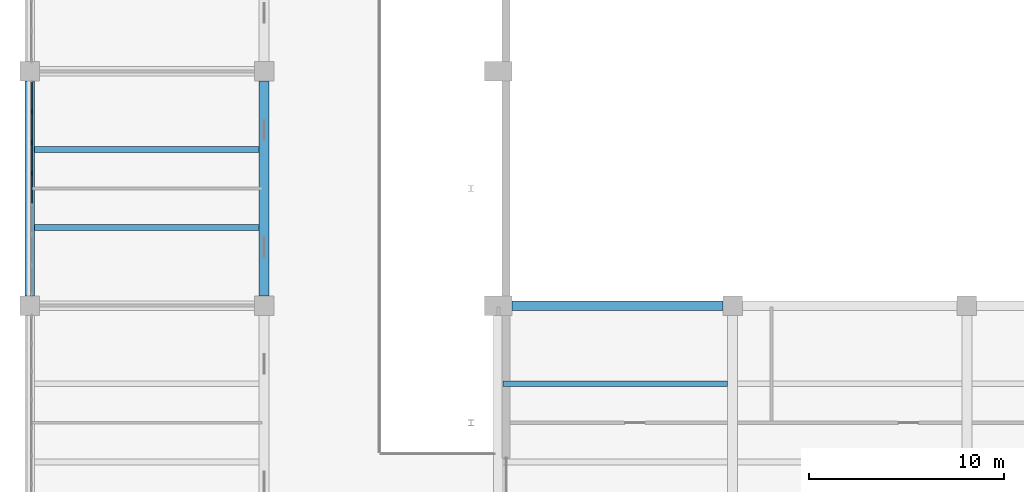
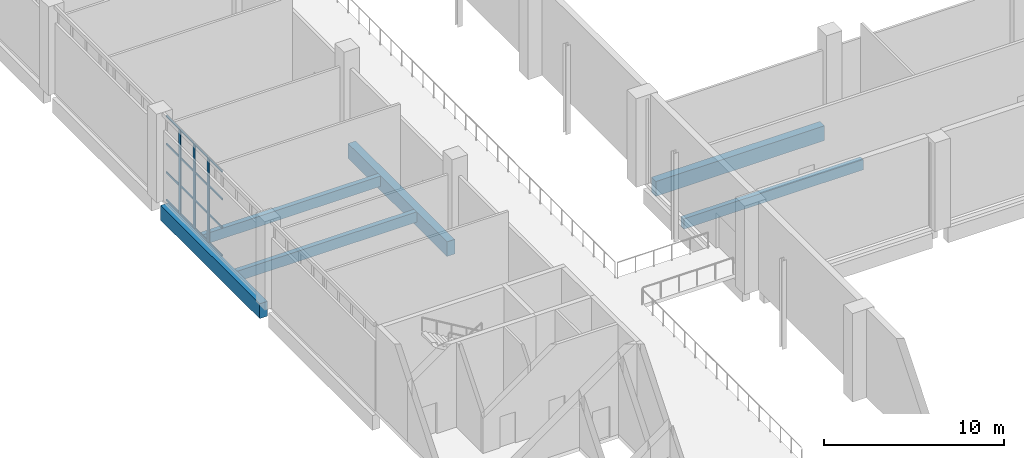
# One storey, part 17 of 72: 19 members, 6 beams, 1 element without a shape of its own.
"""IFC4 building model written with IfcOpenShell, lengths in metres."""

from ifc_helpers import new_model, si_unit, direction, frame, origin, origin_2d, place, context, subcontext, project, spatial, rectangle, extrude, material, layer, layer_set, material_profile, profile_set, type_object, element, aggregate, save


model = new_model("IFC4")

# Units and contexts
model_context = context("Model", 3, precision=1e-05, world=origin(), true_north=direction((0.0, 1.0)))
body_context = subcontext(model_context, "Body", "Model", "MODEL_VIEW")
ifc_project = project(units=[si_unit("LENGTHUNIT", "METRE"), si_unit("AREAUNIT", "SQUARE_METRE"), si_unit("VOLUMEUNIT", "CUBIC_METRE"), si_unit("PLANEANGLEUNIT", "RADIAN"), si_unit("MASSUNIT", "GRAM", prefix="KILO")], contexts=[model_context])

# Site, building, storey
site_placement = place(None, origin())
site = spatial("IfcSite", under=ifc_project, at=site_placement, CompositionType="ELEMENT")
building_placement = place(site_placement, origin())
building = spatial("IfcBuilding", under=site, at=building_placement, Name="Lilac Gate Convention Centre", CompositionType="ELEMENT")
storey_placement = place(building_placement, frame((0.0, 0.0, 6.0)))
storey = spatial("IfcBuildingStorey", under=building, at=storey_placement, Name="L01", CompositionType="ELEMENT", Elevation=6.0)

# Curtain wall, members
ifc_material_1 = material(Name="Aluminium framed double glazing", Category="aluminium")
ifc_layer = layer(ifc_material_1, 0.199951171875)
ifc_layer_set = layer_set([ifc_layer], Name="Aluminium framed double glazing")
curtain_wall_type = type_object("IfcCurtainWallType", Name="Unitised curtain wall 1500", PredefinedType="NOTDEFINED", material=ifc_layer_set)
curtain_wall_placement = place(storey_placement, origin())
curtain_wall = element("IfcCurtainWall", 1, at=curtain_wall_placement, inside=storey, type_object=curtain_wall_type, Name="Curtain wall PW L01 7", PredefinedType="NOTDEFINED")
ifc_material_2 = material(Name="Aluminium alloy 6063", Category="aluminium")
ifc_material_profile_1 = material_profile(ifc_material_2, rectangle(XDim=0.06005859375, YDim=0.219970703125, at=origin_2d()), Name="Curtain wall mullion 60 x 220")
ifc_profile_set_1 = profile_set([ifc_material_profile_1], Name="Aluminium alloy 6063")
member_type_1 = type_object("IfcMemberType", Name="Curtain wall mullion 60 x 220", PredefinedType="MULLION", material=ifc_profile_set_1)
member_1_placement = place(storey_placement, frame((6.10009765625, 123.928466796875, 0.0), z_axis=(0.0, 0.0, 1.0), x_axis=(1.0, 0.0, 0.0)))
member_1 = element("IfcMember", 2, at=member_1_placement, type_object=member_type_1, Name="CW mullion 2", PredefinedType="MULLION", context=body_context, shape_type="SweptSolid", body=[
    extrude(rectangle(XDim=0.06005859375, YDim=0.219970703125, at=origin_2d()), origin(), (0.0, 0.0, 1.0), 5.75),
])
member_2_placement = place(storey_placement, frame((6.10009765625, 122.357177734375, 0.0), z_axis=(0.0, 0.0, 1.0), x_axis=(1.0, 0.0, 0.0)))
member_2 = element("IfcMember", 3, at=member_2_placement, type_object=member_type_1, Name="CW mullion 3", PredefinedType="MULLION", context=body_context, shape_type="SweptSolid", body=[
    extrude(rectangle(XDim=0.06005859375, YDim=0.219970703125, at=origin_2d()), origin(), (0.0, 0.0, 1.0), 5.75),
])
member_3_placement = place(storey_placement, frame((6.10009765625, 120.78564453125, 0.0), z_axis=(0.0, 0.0, 1.0), x_axis=(1.0, 0.0, 0.0)))
member_3 = element("IfcMember", 4, at=member_3_placement, type_object=member_type_1, Name="CW mullion 4", PredefinedType="MULLION", context=body_context, shape_type="SweptSolid", body=[
    extrude(rectangle(XDim=0.06005859375, YDim=0.219970703125, at=origin_2d()), origin(), (0.0, 0.0, 1.0), 5.75),
])
ifc_material_profile_2 = material_profile(ifc_material_2, rectangle(XDim=0.06005859375, YDim=0.1201171875, at=origin_2d()), Name="Curtain wall transom 60 x 120")
ifc_profile_set_2 = profile_set([ifc_material_profile_2], Name="Aluminium alloy 6063")
member_type_2 = type_object("IfcMemberType", Name="Curtain wall transom 60 x 120", PredefinedType="USERDEFINED", material=ifc_profile_set_2)
member_4_placement = place(storey_placement, frame((6.10009765625, 125.43994140625, 0.030029296875), z_axis=(0.0, -1.0, 0.0), x_axis=(1.0, 0.0, 0.0)))
member_4 = element("IfcMember", 5, at=member_4_placement, type_object=member_type_2, Name="CW transom 1.1", ObjectType="TRANSOM", PredefinedType="USERDEFINED", context=body_context, shape_type="SweptSolid", body=[
    extrude(rectangle(XDim=0.06005859375, YDim=0.1201171875, at=origin_2d()), origin(), (0.0, 0.0, 1.0), 1.4814453125),
])
member_5_placement = place(storey_placement, frame((6.10009765625, 125.43994140625, 1.916748046875), z_axis=(0.0, -1.0, 0.0), x_axis=(1.0, 0.0, 0.0)))
member_5 = element("IfcMember", 6, at=member_5_placement, type_object=member_type_2, Name="CW transom 1.2", ObjectType="TRANSOM", PredefinedType="USERDEFINED", context=body_context, shape_type="SweptSolid", body=[
    extrude(rectangle(XDim=0.06005859375, YDim=0.1201171875, at=origin_2d()), origin(), (0.0, 0.0, 1.0), 1.4814453125),
])
member_6_placement = place(storey_placement, frame((6.10009765625, 125.43994140625, 3.833251953125), z_axis=(0.0, -1.0, 0.0), x_axis=(1.0, 0.0, 0.0)))
member_6 = element("IfcMember", 7, at=member_6_placement, type_object=member_type_2, Name="CW transom 1.3", ObjectType="TRANSOM", PredefinedType="USERDEFINED", context=body_context, shape_type="SweptSolid", body=[
    extrude(rectangle(XDim=0.06005859375, YDim=0.1201171875, at=origin_2d()), origin(), (0.0, 0.0, 1.0), 1.4814453125),
])
member_7_placement = place(storey_placement, frame((6.10009765625, 125.43994140625, 5.719970703125), z_axis=(0.0, -1.0, 0.0), x_axis=(1.0, 0.0, 0.0)))
member_7 = element("IfcMember", 8, at=member_7_placement, type_object=member_type_2, Name="CW transom 1.4", ObjectType="TRANSOM", PredefinedType="USERDEFINED", context=body_context, shape_type="SweptSolid", body=[
    extrude(rectangle(XDim=0.06005859375, YDim=0.1201171875, at=origin_2d()), origin(), (0.0, 0.0, 1.0), 1.4814453125),
])
member_8_placement = place(storey_placement, frame((6.10009765625, 123.898681640625, 0.030029296875), z_axis=(0.0, -1.0, 0.0), x_axis=(1.0, 0.0, 0.0)))
member_8 = element("IfcMember", 9, at=member_8_placement, type_object=member_type_2, Name="CW transom 2.1", ObjectType="TRANSOM", PredefinedType="USERDEFINED", context=body_context, shape_type="SweptSolid", body=[
    extrude(rectangle(XDim=0.06005859375, YDim=0.1201171875, at=origin_2d()), origin(), (0.0, 0.0, 1.0), 1.511474609375),
])
member_9_placement = place(storey_placement, frame((6.10009765625, 123.898681640625, 1.916748046875), z_axis=(0.0, -1.0, 0.0), x_axis=(1.0, 0.0, 0.0)))
member_9 = element("IfcMember", 10, at=member_9_placement, type_object=member_type_2, Name="CW transom 2.2", ObjectType="TRANSOM", PredefinedType="USERDEFINED", context=body_context, shape_type="SweptSolid", body=[
    extrude(rectangle(XDim=0.06005859375, YDim=0.1201171875, at=origin_2d()), origin(), (0.0, 0.0, 1.0), 1.511474609375),
])
member_10_placement = place(storey_placement, frame((6.10009765625, 123.898681640625, 3.833251953125), z_axis=(0.0, -1.0, 0.0), x_axis=(1.0, 0.0, 0.0)))
member_10 = element("IfcMember", 11, at=member_10_placement, type_object=member_type_2, Name="CW transom 2.3", ObjectType="TRANSOM", PredefinedType="USERDEFINED", context=body_context, shape_type="SweptSolid", body=[
    extrude(rectangle(XDim=0.06005859375, YDim=0.1201171875, at=origin_2d()), origin(), (0.0, 0.0, 1.0), 1.511474609375),
])
member_11_placement = place(storey_placement, frame((6.10009765625, 123.898681640625, 5.719970703125), z_axis=(0.0, -1.0, 0.0), x_axis=(1.0, 0.0, 0.0)))
member_11 = element("IfcMember", 12, at=member_11_placement, type_object=member_type_2, Name="CW transom 2.4", ObjectType="TRANSOM", PredefinedType="USERDEFINED", context=body_context, shape_type="SweptSolid", body=[
    extrude(rectangle(XDim=0.06005859375, YDim=0.1201171875, at=origin_2d()), origin(), (0.0, 0.0, 1.0), 1.511474609375),
])
member_12_placement = place(storey_placement, frame((6.10009765625, 122.3271484375, 0.030029296875), z_axis=(0.0, -1.0, 0.0), x_axis=(1.0, 0.0, 0.0)))
member_12 = element("IfcMember", 13, at=member_12_placement, type_object=member_type_2, Name="CW transom 3.1", ObjectType="TRANSOM", PredefinedType="USERDEFINED", context=body_context, shape_type="SweptSolid", body=[
    extrude(rectangle(XDim=0.06005859375, YDim=0.1201171875, at=origin_2d()), origin(), (0.0, 0.0, 1.0), 1.511474609375),
])
member_13_placement = place(storey_placement, frame((6.10009765625, 122.3271484375, 1.916748046875), z_axis=(0.0, -1.0, 0.0), x_axis=(1.0, 0.0, 0.0)))
member_13 = element("IfcMember", 14, at=member_13_placement, type_object=member_type_2, Name="CW transom 3.2", ObjectType="TRANSOM", PredefinedType="USERDEFINED", context=body_context, shape_type="SweptSolid", body=[
    extrude(rectangle(XDim=0.06005859375, YDim=0.1201171875, at=origin_2d()), origin(), (0.0, 0.0, 1.0), 1.511474609375),
])
member_14_placement = place(storey_placement, frame((6.10009765625, 122.3271484375, 3.833251953125), z_axis=(0.0, -1.0, 0.0), x_axis=(1.0, 0.0, 0.0)))
member_14 = element("IfcMember", 15, at=member_14_placement, type_object=member_type_2, Name="CW transom 3.3", ObjectType="TRANSOM", PredefinedType="USERDEFINED", context=body_context, shape_type="SweptSolid", body=[
    extrude(rectangle(XDim=0.06005859375, YDim=0.1201171875, at=origin_2d()), origin(), (0.0, 0.0, 1.0), 1.511474609375),
])
member_15_placement = place(storey_placement, frame((6.10009765625, 122.3271484375, 5.719970703125), z_axis=(0.0, -1.0, 0.0), x_axis=(1.0, 0.0, 0.0)))
member_15 = element("IfcMember", 16, at=member_15_placement, type_object=member_type_2, Name="CW transom 3.4", ObjectType="TRANSOM", PredefinedType="USERDEFINED", context=body_context, shape_type="SweptSolid", body=[
    extrude(rectangle(XDim=0.06005859375, YDim=0.1201171875, at=origin_2d()), origin(), (0.0, 0.0, 1.0), 1.511474609375),
])
member_16_placement = place(storey_placement, frame((6.10009765625, 120.755615234375, 0.030029296875), z_axis=(0.0, -1.0, 0.0), x_axis=(1.0, 0.0, 0.0)))
member_16 = element("IfcMember", 17, at=member_16_placement, type_object=member_type_2, Name="CW transom 4.1", ObjectType="TRANSOM", PredefinedType="USERDEFINED", context=body_context, shape_type="SweptSolid", body=[
    extrude(rectangle(XDim=0.06005859375, YDim=0.1201171875, at=origin_2d()), origin(), (0.0, 0.0, 1.0), 1.51123046875),
])
member_17_placement = place(storey_placement, frame((6.10009765625, 120.755615234375, 1.916748046875), z_axis=(0.0, -1.0, 0.0), x_axis=(1.0, 0.0, 0.0)))
member_17 = element("IfcMember", 18, at=member_17_placement, type_object=member_type_2, Name="CW transom 4.2", ObjectType="TRANSOM", PredefinedType="USERDEFINED", context=body_context, shape_type="SweptSolid", body=[
    extrude(rectangle(XDim=0.06005859375, YDim=0.1201171875, at=origin_2d()), origin(), (0.0, 0.0, 1.0), 1.51123046875),
])
member_18_placement = place(storey_placement, frame((6.10009765625, 120.755615234375, 3.833251953125), z_axis=(0.0, -1.0, 0.0), x_axis=(1.0, 0.0, 0.0)))
member_18 = element("IfcMember", 19, at=member_18_placement, type_object=member_type_2, Name="CW transom 4.3", ObjectType="TRANSOM", PredefinedType="USERDEFINED", context=body_context, shape_type="SweptSolid", body=[
    extrude(rectangle(XDim=0.06005859375, YDim=0.1201171875, at=origin_2d()), origin(), (0.0, 0.0, 1.0), 1.51123046875),
])
member_19_placement = place(storey_placement, frame((6.10009765625, 120.755615234375, 5.719970703125), z_axis=(0.0, -1.0, 0.0), x_axis=(1.0, 0.0, 0.0)))
member_19 = element("IfcMember", 20, at=member_19_placement, type_object=member_type_2, Name="CW transom 4.4", ObjectType="TRANSOM", PredefinedType="USERDEFINED", context=body_context, shape_type="SweptSolid", body=[
    extrude(rectangle(XDim=0.06005859375, YDim=0.1201171875, at=origin_2d()), origin(), (0.0, 0.0, 1.0), 1.51123046875),
])
aggregate(curtain_wall, [member_1, member_2, member_3, member_4, member_5, member_6, member_7, member_8, member_9, member_10, member_11, member_12, member_13, member_14, member_15, member_16, member_17, member_18, member_19])

# Beams
ifc_material_3 = material(Name="Concrete C40", Category="concrete")
ifc_material_profile_3 = material_profile(ifc_material_3, rectangle(XDim=0.5, YDim=1.0, at=origin_2d()), Name="RC 500x1000")
ifc_profile_set_3 = profile_set([ifc_material_profile_3], Name="Concrete C40")
beam_type_1 = type_object("IfcBeamType", Name="Primary beam 500x1000 C40", PredefinedType="BEAM", material=ifc_profile_set_3)
beam_placement = place(storey_placement, frame((30.699951171875, 114.0, -0.75), z_axis=(1.0, 0.0, 0.0), x_axis=(0.0, 1.0, 0.0)))
element("IfcBeam", 21, at=beam_placement, inside=storey, type_object=beam_type_1, Name="RB1 L01 3/H-4/H", PredefinedType="BEAM", context=body_context, shape_type="SweptSolid", body=[
    extrude(rectangle(XDim=0.5, YDim=1.0, at=origin_2d()), origin(), (0.0, 0.0, 1.0), 10.800048828125),
])
for number, where, z_axis, x_axis, name in (
    (22, (6.0, 114.5, -0.75), (0.0, 1.0, 0.0), (-1.0, 0.0, 0.0), "RB1 L01 1/H-1/J"),
    (23, (18.0, 114.5, -0.75), (0.0, 1.0, 0.0), (-1.0, 0.0, 0.0), "RB1 L01 2/H-2/J"),
):
    element("IfcBeam", number, at=place(storey_placement, frame(where, z_axis=z_axis, x_axis=x_axis)), inside=storey, type_object=beam_type_1, Name=name, PredefinedType="BEAM", context=body_context, shape_type="SweptSolid", body=[
        extrude(rectangle(XDim=0.5, YDim=1.0, at=origin_2d()), origin(), (0.0, 0.0, 1.0), 11.0),
    ])
ifc_material_profile_4 = material_profile(ifc_material_3, rectangle(XDim=0.300048828125, YDim=0.699951171875, at=origin_2d()), Name="RC 300x700")
ifc_profile_set_4 = profile_set([ifc_material_profile_4], Name="Concrete C40")
beam_type_2 = type_object("IfcBeamType", Name="Secondary beam 300x700 C40", PredefinedType="BEAM", material=ifc_profile_set_4)
for number, where, z_axis, x_axis, name in (
    (24, (6.25, 118.0, -0.60009765625), (1.0, 0.0, 0.0), (0.0, 1.0, 0.0), "RB2 L01 bay 1/H"),
    (25, (6.25, 122.0, -0.60009765625), (1.0, 0.0, 0.0), (0.0, 1.0, 0.0), "RB2 L01 bay 1/H"),
    (26, (30.25, 110.0, -0.60009765625), (1.0, 0.0, 0.0), (0.0, 1.0, 0.0), "RB2 L01 bay 3/G"),
):
    element("IfcBeam", number, at=place(storey_placement, frame(where, z_axis=z_axis, x_axis=x_axis)), inside=storey, type_object=beam_type_2, Name=name, PredefinedType="BEAM", context=body_context, shape_type="SweptSolid", body=[
        extrude(rectangle(XDim=0.300048828125, YDim=0.699951171875, at=origin_2d()), origin(), (0.0, 0.0, 1.0), 11.5),
    ])

save(model, "model.ifc")
